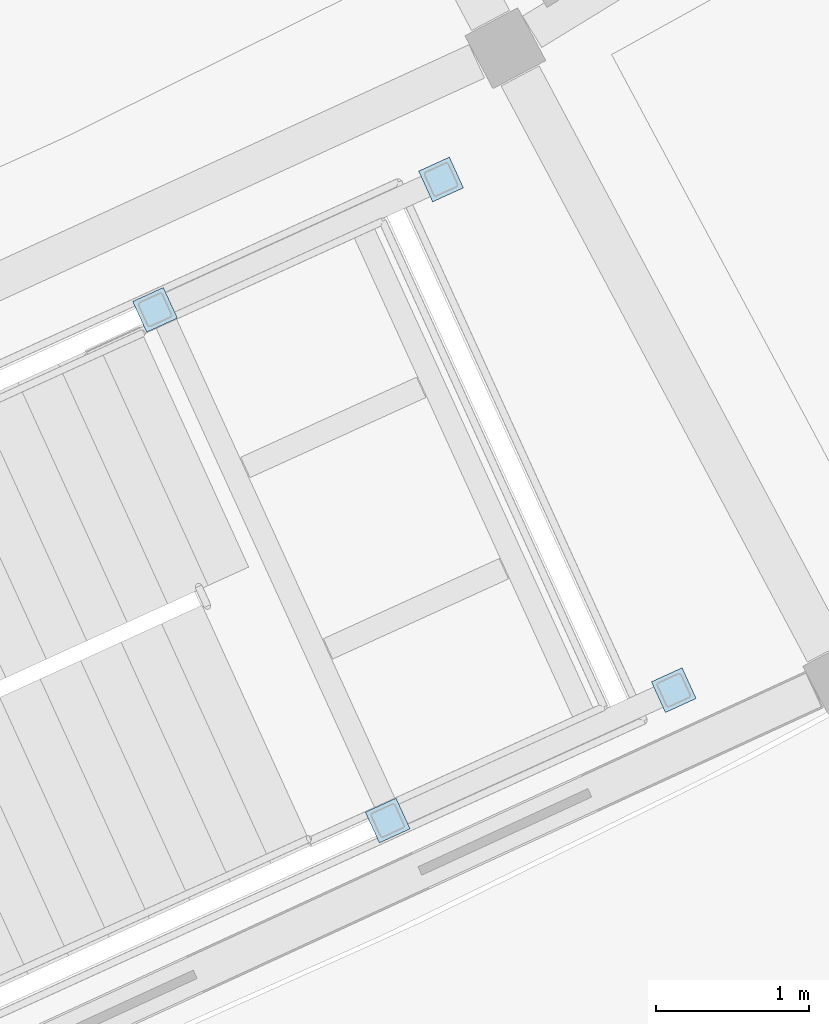
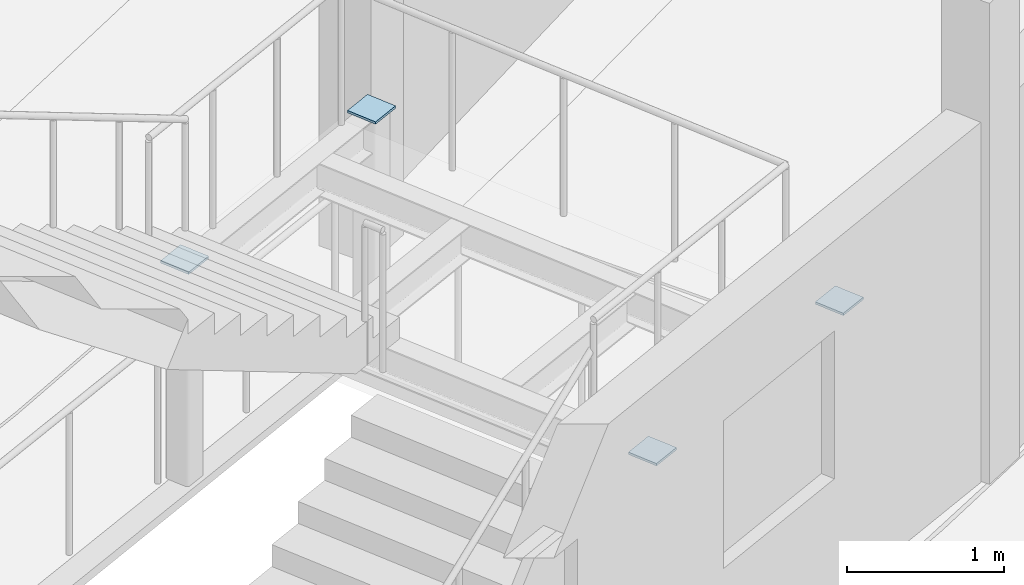
# One storey, part 24 of 36: 4 plates.
"""IFC4 building model written with IfcOpenShell, lengths in metres."""

from ifc_helpers import new_model, si_unit, direction, frame, origin, origin_2d, place, context, subcontext, project, spatial, rectangle, extrude, material, layer, layer_set, type_object, element, save


model = new_model("IFC4")

# Units and contexts
model_context = context("Model", 3, precision=1e-05, world=origin(), true_north=direction((0.0, 1.0)))
body_context = subcontext(model_context, "Body", "Model", "MODEL_VIEW")
ifc_project = project(units=[si_unit("LENGTHUNIT", "METRE"), si_unit("AREAUNIT", "SQUARE_METRE"), si_unit("VOLUMEUNIT", "CUBIC_METRE"), si_unit("PLANEANGLEUNIT", "RADIAN"), si_unit("MASSUNIT", "GRAM", prefix="KILO")], contexts=[model_context])

# Site, building, storey
site_placement = place(None, origin())
site = spatial("IfcSite", under=ifc_project, at=site_placement, CompositionType="ELEMENT")
building_placement = place(site_placement, origin())
building = spatial("IfcBuilding", under=site, at=building_placement, Name="Caldaven Crescent School", CompositionType="ELEMENT")
storey_placement = place(building_placement, frame((0.0, 0.0, 11.89990234375)))
storey = spatial("IfcBuildingStorey", under=building, at=storey_placement, Name="L03", CompositionType="ELEMENT", Elevation=11.89990234375)

# Plates
ifc_material = material(Name="Steel ASTM A572 Grade 50", Category="steel")
ifc_layer = layer(ifc_material, 0.01806640625)
ifc_layer_set = layer_set([ifc_layer], Name="Steel ASTM A572 Grade 50")
plate_type = type_object("IfcPlateType", Name="PLT-CAP18", PredefinedType="USERDEFINED", material=ifc_layer_set)
for number, where, z_axis, x_axis, name in (
    (1, (116.19921875, 36.4853515625, 1.675048828125), (0.0, 0.0, 1.0), (0.909961270877, 0.414693242656, 0.0), "CAP-STPOST-ST4-L03-A"),
    (2, (114.681640625, 39.81591796875, 1.675048828125), (0.0, 0.0, 1.0), (0.909961270877, 0.414693242656, 0.0), "CAP-STPOST-ST4-L03-B"),
    (3, (118.064697265625, 37.33544921875, 1.675048828125), (0.0, 0.0, 1.0), (0.909961270877, 0.414693242656, 0.0), "CAP-STPOST-ST4-L03-C"),
    (4, (116.546875, 40.666015625, 1.675048828125), (0.0, 0.0, 1.0), (0.909961270877, 0.414693242656, 0.0), "CAP-STPOST-ST4-L03-D"),
):
    element("IfcPlate", number, at=place(storey_placement, frame(where, z_axis=z_axis, x_axis=x_axis)), inside=storey, type_object=plate_type, Name=name, ObjectType="CAP_PLATE", PredefinedType="USERDEFINED", context=body_context, shape_type="SweptSolid", body=[
        extrude(rectangle(XDim=0.219970703125, YDim=0.219970703125, at=origin_2d()), origin(), (0.0, 0.0, 1.0), 0.01806640625),
    ])

save(model, "model.ifc")
